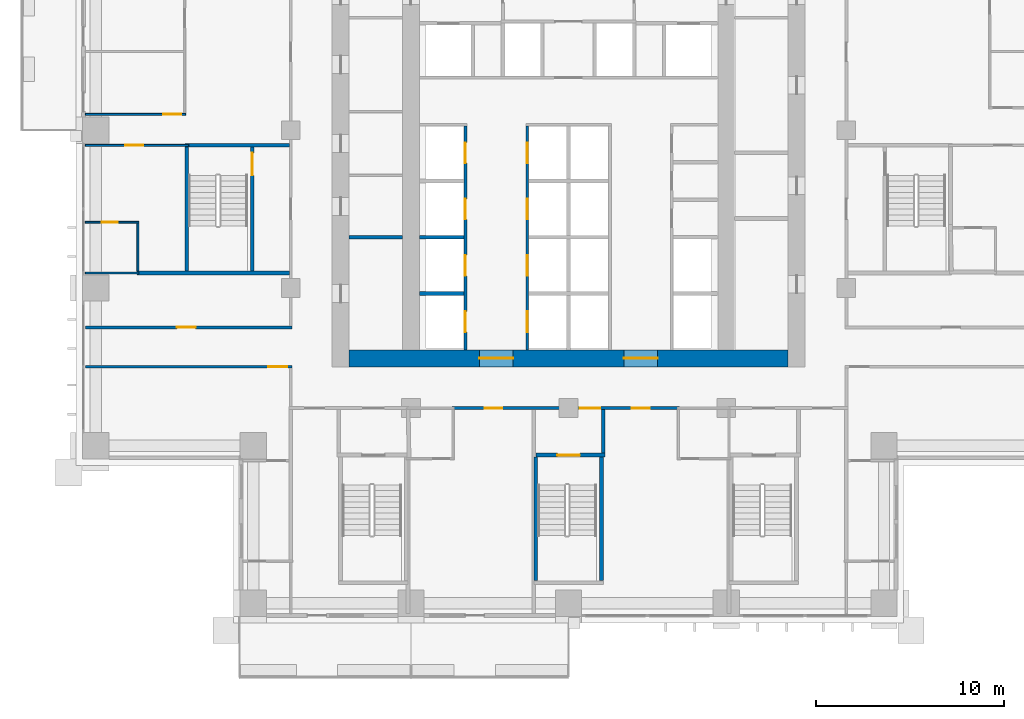
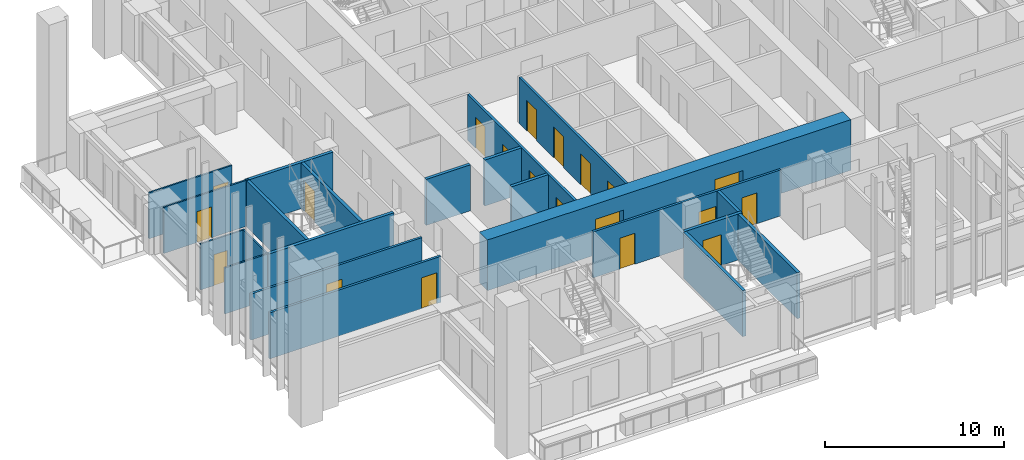
# One storey, part 7 of 17: 22 walls, 20 doors, 20 openings.
"""IFC4 building model written with IfcOpenShell, lengths in metres."""

from ifc_helpers import new_model, si_unit, direction, frame, frame_2d, origin, place, context, subcontext, project, spatial, rectangle, extrude, material, layer, layer_set, type_object, element, fill, save


model = new_model("IFC4")

# Units and contexts
model_context = context("Model", 3, precision=1e-05, world=origin(), true_north=direction((0.0, 1.0)))
body_context = subcontext(model_context, "Body", "Model", "MODEL_VIEW")
ifc_project = project(units=[si_unit("LENGTHUNIT", "METRE"), si_unit("AREAUNIT", "SQUARE_METRE"), si_unit("VOLUMEUNIT", "CUBIC_METRE"), si_unit("PLANEANGLEUNIT", "RADIAN"), si_unit("MASSUNIT", "GRAM", prefix="KILO")], contexts=[model_context])

# Site, building, storey
site_placement = place(None, origin())
site = spatial("IfcSite", under=ifc_project, at=site_placement, CompositionType="ELEMENT")
building_placement = place(site_placement, origin())
building = spatial("IfcBuilding", under=site, at=building_placement, Name="Vermilion Ogive Tower", CompositionType="ELEMENT")
storey_placement = place(building_placement, frame((0.0, 0.0, 37.949951171875)))
storey = spatial("IfcBuildingStorey", under=building, at=storey_placement, Name="L07", CompositionType="ELEMENT", Elevation=37.949951171875)

# Wall, openings, doors
ifc_material_1 = material(Name="Concrete B80", Category="concrete")
ifc_layer_1 = layer(ifc_material_1, 0.89990234375)
ifc_layer_set_1 = layer_set([ifc_layer_1], Name="Core wall 900 B80")
wall_type_1 = type_object("IfcWallType", Name="Core wall 900 B80", PredefinedType="SHEAR", material=ifc_layer_set_1)
wall_1_placement = place(storey_placement, frame((-11.699951171875, -7.949951171875, -0.320068359375), z_axis=(0.0, 0.0, 1.0), x_axis=(1.0, 0.0, 0.0)))
wall_1 = element("IfcWall", 1, at=wall_1_placement, inside=storey, type_object=wall_type_1, Name="L07-CORE-S", PredefinedType="SHEAR", context=body_context, shape_type="SweptSolid", body=[
    extrude(rectangle(XDim=23.39990234375, YDim=0.89990234375, at=frame_2d((11.699951171875, 0.0))), origin(), (0.0, 0.0, 1.0), 3.4501953125),
])
opening_1_placement = place(wall_1_placement, frame((6.949951171875, 0.0, 0.320068359375)))
opening_1 = element("IfcOpeningElement", 2, at=opening_1_placement, cuts=wall_1, Name="Opening DAH003", PredefinedType="OPENING", context=body_context, shape_type="SweptSolid", body=[
    extrude(rectangle(XDim=1.800048828125, YDim=2.10009765625, at=frame_2d((0.89990234375, 1.050048828125))), frame((0.0, 0.4599609375, 0.0), z_axis=(0.0, -1.0, 0.0), x_axis=(1.0, 0.0, 0.0)), (0.0, 0.0, 1.0), 0.919921875),
])
opening_2_placement = place(wall_1_placement, frame((14.64990234375, 0.0, 0.320068359375)))
opening_2 = element("IfcOpeningElement", 3, at=opening_2_placement, cuts=wall_1, Name="Opening DAH004", PredefinedType="OPENING", context=body_context, shape_type="SweptSolid", body=[
    extrude(rectangle(XDim=1.800048828125, YDim=2.10009765625, at=frame_2d((0.89990234375, 1.050048828125))), frame((0.0, 0.4599609375, 0.0), z_axis=(0.0, -1.0, 0.0), x_axis=(1.0, 0.0, 0.0)), (0.0, 0.0, 1.0), 0.919921875),
])
ifc_material_2 = material(Name="Timber door leaf", Category="wood")
door_type_1 = type_object("IfcDoorType", Name="Core entry door 1800 x 2100 FD60S", OperationType="DOUBLE_DOOR_SINGLE_SWING", PredefinedType="DOOR", material=ifc_material_2)
door_1_placement = place(opening_1_placement, origin())
door_1 = element("IfcDoor", 4, at=door_1_placement, inside=storey, type_object=door_type_1, Name="L07-CK-XD1", OperationType="SINGLE_SWING_LEFT", OverallHeight=2.10009765625, OverallWidth=1.800048828125, PredefinedType="DOOR", context=body_context, shape_type="SweptSolid", body=[
    extrude(rectangle(XDim=1.800048828125, YDim=2.10009765625, at=frame_2d((0.89990234375, 1.050048828125))), frame((0.0, 0.02490234375, 0.0), z_axis=(0.0, -1.0, 0.0), x_axis=(1.0, 0.0, 0.0)), (0.0, 0.0, 1.0), 0.050048828125),
])
fill(opening_1, door_1)
door_2_placement = place(opening_2_placement, origin())
door_2 = element("IfcDoor", 5, at=door_2_placement, inside=storey, type_object=door_type_1, Name="L07-CK-XD2", OperationType="SINGLE_SWING_LEFT", OverallHeight=2.10009765625, OverallWidth=1.800048828125, PredefinedType="DOOR", context=body_context, shape_type="SweptSolid", body=[
    extrude(rectangle(XDim=1.800048828125, YDim=2.10009765625, at=frame_2d((0.89990234375, 1.050048828125))), frame((0.0, 0.02490234375, 0.0), z_axis=(0.0, -1.0, 0.0), x_axis=(1.0, 0.0, 0.0)), (0.0, 0.0, 1.0), 0.050048828125),
])
fill(opening_2, door_2)

# Wall
ifc_material_3 = material(Name="Gypsum board partition on steel studs", Category="steel")
ifc_layer_2 = layer(ifc_material_3, 0.10009765625)
ifc_layer_set_2 = layer_set([ifc_layer_2], Name="Partition 100 bath")
wall_type_2 = type_object("IfcWallType", Name="Partition 100 bath", PredefinedType="PARTITIONING", material=ifc_layer_set_2)
wall_2_placement = place(storey_placement, frame((-25.75, -3.39990234375, 0.0), z_axis=(0.0, 0.0, 1.0), x_axis=(1.0, 0.0, 0.0)))
element("IfcWall", 6, at=wall_2_placement, inside=storey, type_object=wall_type_2, Name="L07-W-W022", PredefinedType="PARTITIONING", context=body_context, shape_type="SweptSolid", body=[
    extrude(rectangle(XDim=2.85009765625, YDim=0.10009765625, at=frame_2d((1.425048828125, 0.0))), origin(), (0.0, 0.0, 1.0), 3.130126953125),
])

# Wall, opening, door
wall_3_placement = place(storey_placement, frame((-25.75, -0.699951171875, 0.0), z_axis=(0.0, 0.0, 1.0), x_axis=(1.0, 0.0, 0.0)))
wall_3 = element("IfcWall", 7, at=wall_3_placement, inside=storey, type_object=wall_type_2, Name="L07-W-W028", PredefinedType="PARTITIONING", context=body_context, shape_type="SweptSolid", body=[
    extrude(rectangle(XDim=2.85009765625, YDim=0.10009765625, at=frame_2d((1.425048828125, 0.0))), origin(), (0.0, 0.0, 1.0), 3.130126953125),
])
opening_3_placement = place(wall_3_placement, frame((0.875, 0.0, 0.0)))
opening_3 = element("IfcOpeningElement", 8, at=opening_3_placement, cuts=wall_3, Name="Opening D1G2008", PredefinedType="OPENING", context=body_context, shape_type="SweptSolid", body=[
    extrude(rectangle(XDim=0.85009765625, YDim=2.10009765625, at=frame_2d((0.425048828125, 1.050048828125))), frame((0.0, 0.06005859375, 0.0), z_axis=(0.0, -1.0, 0.0), x_axis=(1.0, 0.0, 0.0)), (0.0, 0.0, 1.0), 0.1201171875),
])
ifc_material_4 = material(Name="Timber door leaf", Category="wood")
door_type_2 = type_object("IfcDoorType", Name="Bath door 850 x 2100 FD30", OperationType="SINGLE_SWING_LEFT", PredefinedType="DOOR", material=ifc_material_4)
door_3_placement = place(opening_3_placement, origin())
door_3 = element("IfcDoor", 9, at=door_3_placement, inside=storey, type_object=door_type_2, Name="L07-D-D008", OperationType="SINGLE_SWING_RIGHT", OverallHeight=2.10009765625, OverallWidth=0.85009765625, PredefinedType="DOOR", context=body_context, shape_type="SweptSolid", body=[
    extrude(rectangle(XDim=0.85009765625, YDim=2.10009765625, at=frame_2d((0.425048828125, 1.050048828125))), frame((0.0, 0.02490234375, 0.0), z_axis=(0.0, -1.0, 0.0), x_axis=(1.0, 0.0, 0.0)), (0.0, 0.0, 1.0), 0.050048828125),
])
fill(opening_3, door_3)

# Wall
wall_4_placement = place(storey_placement, frame((-22.949951171875, -3.300048828125, 0.0), z_axis=(0.0, 0.0, 1.0), x_axis=(0.0, 1.0, 0.0)))
element("IfcWall", 10, at=wall_4_placement, inside=storey, type_object=wall_type_2, Name="L07-W-W041", PredefinedType="PARTITIONING", context=body_context, shape_type="SweptSolid", body=[
    extrude(rectangle(XDim=2.550048828125, YDim=0.10009765625, at=frame_2d((1.27490234375, 0.0))), origin(), (0.0, 0.0, 1.0), 3.130126953125),
])

# Wall, opening, door
ifc_material_5 = material(Name="Gypsum board partition on steel studs", Category="steel")
ifc_layer_3 = layer(ifc_material_5, 0.10009765625)
ifc_layer_set_3 = layer_set([ifc_layer_3], Name="Partition 100 inner")
wall_type_3 = type_object("IfcWallType", Name="Partition 100 inner", PredefinedType="PARTITIONING", material=ifc_layer_set_3)
wall_5_placement = place(storey_placement, frame((-25.75, 3.39990234375, 0.0), z_axis=(0.0, 0.0, 1.0), x_axis=(1.0, 0.0, 0.0)))
wall_5 = element("IfcWall", 11, at=wall_5_placement, inside=storey, type_object=wall_type_3, Name="L07-W-W029", PredefinedType="PARTITIONING", context=body_context, shape_type="SweptSolid", body=[
    extrude(rectangle(XDim=5.5, YDim=0.10009765625, at=frame_2d((2.75, 0.0))), origin(), (0.0, 0.0, 1.0), 3.130126953125),
])
opening_4_placement = place(wall_5_placement, frame((2.125, 0.0, 0.0)))
opening_4 = element("IfcOpeningElement", 12, at=opening_4_placement, cuts=wall_5, Name="Opening D1G2007", PredefinedType="OPENING", context=body_context, shape_type="SweptSolid", body=[
    extrude(rectangle(XDim=0.949951171875, YDim=2.10009765625, at=frame_2d((0.47509765625, 1.050048828125))), frame((0.0, 0.06005859375, 0.0), z_axis=(0.0, -1.0, 0.0), x_axis=(1.0, 0.0, 0.0)), (0.0, 0.0, 1.0), 0.1201171875),
])
ifc_material_6 = material(Name="Timber door leaf", Category="wood")
door_type_3 = type_object("IfcDoorType", Name="Inner door 950 x 2100 FD30", OperationType="SINGLE_SWING_LEFT", PredefinedType="DOOR", material=ifc_material_6)
door_4_placement = place(opening_4_placement, origin())
door_4 = element("IfcDoor", 13, at=door_4_placement, inside=storey, type_object=door_type_3, Name="L07-D-D007", OperationType="SINGLE_SWING_LEFT", OverallHeight=2.10009765625, OverallWidth=0.949951171875, PredefinedType="DOOR", context=body_context, shape_type="SweptSolid", body=[
    extrude(rectangle(XDim=0.949951171875, YDim=2.10009765625, at=frame_2d((0.47509765625, 1.050048828125))), frame((0.0, 0.02490234375, 0.0), z_axis=(0.0, -1.0, 0.0), x_axis=(1.0, 0.0, 0.0)), (0.0, 0.0, 1.0), 0.050048828125),
])
fill(opening_4, door_4)

wall_6_placement = place(storey_placement, frame((-25.75, 5.0498046875, 0.0), z_axis=(0.0, 0.0, 1.0), x_axis=(1.0, 0.0, 0.0)))
wall_6 = element("IfcWall", 14, at=wall_6_placement, inside=storey, type_object=wall_type_3, Name="L07-W-W033", PredefinedType="PARTITIONING", context=body_context, shape_type="SweptSolid", body=[
    extrude(rectangle(XDim=5.35009765625, YDim=0.10009765625, at=frame_2d((2.675048828125, 0.0))), origin(), (0.0, 0.0, 1.0), 3.130126953125),
])
opening_5_placement = place(wall_6_placement, frame((4.14990234375, 0.0, 0.0)))
opening_5 = element("IfcOpeningElement", 15, at=opening_5_placement, cuts=wall_6, Name="Opening D1G2004", PredefinedType="OPENING", context=body_context, shape_type="SweptSolid", body=[
    extrude(rectangle(XDim=0.949951171875, YDim=2.10009765625, at=frame_2d((0.47509765625, 1.050048828125))), frame((0.0, 0.06005859375, 0.0), z_axis=(0.0, -1.0, 0.0), x_axis=(1.0, 0.0, 0.0)), (0.0, 0.0, 1.0), 0.1201171875),
])
door_5_placement = place(opening_5_placement, origin())
door_5 = element("IfcDoor", 16, at=door_5_placement, inside=storey, type_object=door_type_3, Name="L07-D-D004", OperationType="SINGLE_SWING_LEFT", OverallHeight=2.10009765625, OverallWidth=0.949951171875, PredefinedType="DOOR", context=body_context, shape_type="SweptSolid", body=[
    extrude(rectangle(XDim=0.949951171875, YDim=2.10009765625, at=frame_2d((0.47509765625, 1.050048828125))), frame((0.0, 0.02490234375, 0.0), z_axis=(0.0, -1.0, 0.0), x_axis=(1.0, 0.0, 0.0)), (0.0, 0.0, 1.0), 0.050048828125),
])
fill(opening_5, door_5)

# Wall, openings, doors
ifc_material_7 = material(Name="Gypsum board partition on steel studs", Category="steel")
ifc_layer_4 = layer(ifc_material_7, 0.14990234375)
ifc_layer_set_4 = layer_set([ifc_layer_4], Name="Partition 150 corridor")
wall_type_4 = type_object("IfcWallType", Name="Partition 150 corridor", PredefinedType="PARTITIONING", material=ifc_layer_set_4)
wall_7_placement = place(storey_placement, frame((-6.199951171875, -10.60009765625, 0.0), z_axis=(0.0, 0.0, 1.0), x_axis=(1.0, 0.0, 0.0)))
wall_7 = element("IfcWall", 17, at=wall_7_placement, inside=storey, type_object=wall_type_4, Name="L07-W-W015", PredefinedType="PARTITIONING", context=body_context, shape_type="SweptSolid", body=[
    extrude(rectangle(XDim=12.099853515625, YDim=0.14990234375, at=frame_2d((6.0498046875, 0.0))), origin(), (0.0, 0.0, 1.0), 3.130126953125),
])
opening_6_placement = place(wall_7_placement, frame((1.724853515625, 0.0, 0.0)))
opening_6 = element("IfcOpeningElement", 18, at=opening_6_placement, cuts=wall_7, Name="Opening D1G2011", PredefinedType="OPENING", context=body_context, shape_type="SweptSolid", body=[
    extrude(rectangle(XDim=0.949951171875, YDim=2.10009765625, at=frame_2d((0.47509765625, 1.050048828125))), frame((0.0, 0.0849609375, 0.0), z_axis=(0.0, -1.0, 0.0), x_axis=(1.0, 0.0, 0.0)), (0.0, 0.0, 1.0), 0.169921875),
])
opening_7_placement = place(wall_7_placement, frame((9.574951171875, 0.0, 0.0)))
opening_7 = element("IfcOpeningElement", 19, at=opening_7_placement, cuts=wall_7, Name="Opening D1G2013", PredefinedType="OPENING", context=body_context, shape_type="SweptSolid", body=[
    extrude(rectangle(XDim=0.949951171875, YDim=2.10009765625, at=frame_2d((0.47509765625, 1.050048828125))), frame((0.0, 0.0849609375, 0.0), z_axis=(0.0, -1.0, 0.0), x_axis=(1.0, 0.0, 0.0)), (0.0, 0.0, 1.0), 0.169921875),
])
opening_8_placement = place(wall_7_placement, frame((6.800048828125, 0.0, 0.0)))
opening_8 = element("IfcOpeningElement", 20, at=opening_8_placement, cuts=wall_7, Name="Opening D1G2027", PredefinedType="OPENING", context=body_context, shape_type="SweptSolid", body=[
    extrude(rectangle(XDim=1.10009765625, YDim=2.10009765625, at=frame_2d((0.550048828125, 1.050048828125))), frame((0.0, 0.0849609375, 0.0), z_axis=(0.0, -1.0, 0.0), x_axis=(1.0, 0.0, 0.0)), (0.0, 0.0, 1.0), 0.169921875),
])
ifc_material_8 = material(Name="Timber door leaf", Category="wood")
door_type_4 = type_object("IfcDoorType", Name="Stair door 1100 x 2100 FD60S", OperationType="SINGLE_SWING_LEFT", PredefinedType="DOOR", material=ifc_material_8)
door_6_placement = place(opening_8_placement, origin())
door_6 = element("IfcDoor", 21, at=door_6_placement, inside=storey, type_object=door_type_4, Name="L07-D-D027", OperationType="SINGLE_SWING_RIGHT", OverallHeight=2.10009765625, OverallWidth=1.10009765625, PredefinedType="DOOR", context=body_context, shape_type="SweptSolid", body=[
    extrude(rectangle(XDim=1.10009765625, YDim=2.10009765625, at=frame_2d((0.550048828125, 1.050048828125))), frame((0.0, 0.02490234375, 0.0), z_axis=(0.0, -1.0, 0.0), x_axis=(1.0, 0.0, 0.0)), (0.0, 0.0, 1.0), 0.050048828125),
])
fill(opening_8, door_6)
ifc_material_9 = material(Name="Timber door leaf", Category="wood")
door_type_5 = type_object("IfcDoorType", Name="Unit door 950 x 2100 FD30S", OperationType="SINGLE_SWING_LEFT", PredefinedType="DOOR", material=ifc_material_9)
door_7_placement = place(opening_6_placement, origin())
door_7 = element("IfcDoor", 22, at=door_7_placement, inside=storey, type_object=door_type_5, Name="L07-D-D011", OperationType="SINGLE_SWING_LEFT", OverallHeight=2.10009765625, OverallWidth=0.949951171875, PredefinedType="DOOR", context=body_context, shape_type="SweptSolid", body=[
    extrude(rectangle(XDim=0.949951171875, YDim=2.10009765625, at=frame_2d((0.47509765625, 1.050048828125))), frame((0.0, 0.02490234375, 0.0), z_axis=(0.0, -1.0, 0.0), x_axis=(1.0, 0.0, 0.0)), (0.0, 0.0, 1.0), 0.050048828125),
])
fill(opening_6, door_7)
door_8_placement = place(opening_7_placement, origin())
door_8 = element("IfcDoor", 23, at=door_8_placement, inside=storey, type_object=door_type_5, Name="L07-D-D013", OperationType="SINGLE_SWING_RIGHT", OverallHeight=2.10009765625, OverallWidth=0.949951171875, PredefinedType="DOOR", context=body_context, shape_type="SweptSolid", body=[
    extrude(rectangle(XDim=0.949951171875, YDim=2.10009765625, at=frame_2d((0.47509765625, 1.050048828125))), frame((0.0, 0.02490234375, 0.0), z_axis=(0.0, -1.0, 0.0), x_axis=(1.0, 0.0, 0.0)), (0.0, 0.0, 1.0), 0.050048828125),
])
fill(opening_7, door_8)

# Wall, opening, door
wall_8_placement = place(storey_placement, frame((-25.75, -8.39990234375, 0.0), z_axis=(0.0, 0.0, 1.0), x_axis=(1.0, 0.0, 0.0)))
wall_8 = element("IfcWall", 24, at=wall_8_placement, inside=storey, type_object=wall_type_4, Name="L07-W-W018", PredefinedType="PARTITIONING", context=body_context, shape_type="SweptSolid", body=[
    extrude(rectangle(XDim=11.02490234375, YDim=0.14990234375, at=frame_2d((5.512451171875, 0.0))), origin(), (0.0, 0.0, 1.0), 3.130126953125),
])
opening_9_placement = place(wall_8_placement, frame((9.75, 0.0, 0.0)))
opening_9 = element("IfcOpeningElement", 25, at=opening_9_placement, cuts=wall_8, Name="Opening D1G2001", PredefinedType="OPENING", context=body_context, shape_type="SweptSolid", body=[
    extrude(rectangle(XDim=1.0, YDim=2.10009765625, at=frame_2d((0.5, 1.050048828125))), frame((0.0, 0.0849609375, 0.0), z_axis=(0.0, -1.0, 0.0), x_axis=(1.0, 0.0, 0.0)), (0.0, 0.0, 1.0), 0.169921875),
])
ifc_material_10 = material(Name="Timber door leaf", Category="wood")
door_type_6 = type_object("IfcDoorType", Name="Unit door 1000 x 2100 FD30S", OperationType="SINGLE_SWING_LEFT", PredefinedType="DOOR", material=ifc_material_10)
door_9_placement = place(opening_9_placement, origin())
door_9 = element("IfcDoor", 26, at=door_9_placement, inside=storey, type_object=door_type_6, Name="L07-D-D001", OperationType="SINGLE_SWING_RIGHT", OverallHeight=2.10009765625, OverallWidth=1.0, PredefinedType="DOOR", context=body_context, shape_type="SweptSolid", body=[
    extrude(rectangle(XDim=1.0, YDim=2.10009765625, at=frame_2d((0.5, 1.050048828125))), frame((0.0, 0.02490234375, 0.0), z_axis=(0.0, -1.0, 0.0), x_axis=(1.0, 0.0, 0.0)), (0.0, 0.0, 1.0), 0.050048828125),
])
fill(opening_9, door_9)

wall_9_placement = place(storey_placement, frame((-25.75, -6.300048828125, 0.0), z_axis=(0.0, 0.0, 1.0), x_axis=(1.0, 0.0, 0.0)))
wall_9 = element("IfcWall", 27, at=wall_9_placement, inside=storey, type_object=wall_type_4, Name="L07-W-W020", PredefinedType="PARTITIONING", context=body_context, shape_type="SweptSolid", body=[
    extrude(rectangle(XDim=11.02490234375, YDim=0.14990234375, at=frame_2d((5.512451171875, 0.0))), origin(), (0.0, 0.0, 1.0), 3.130126953125),
])
opening_10_placement = place(wall_9_placement, frame((4.875, 0.0, 0.0)))
opening_10 = element("IfcOpeningElement", 28, at=opening_10_placement, cuts=wall_9, Name="Opening D1G2037", PredefinedType="OPENING", context=body_context, shape_type="SweptSolid", body=[
    extrude(rectangle(XDim=1.0, YDim=2.10009765625, at=frame_2d((0.5, 1.050048828125))), frame((0.0, 0.0849609375, 0.0), z_axis=(0.0, -1.0, 0.0), x_axis=(1.0, 0.0, 0.0)), (0.0, 0.0, 1.0), 0.169921875),
])
door_10_placement = place(opening_10_placement, origin())
door_10 = element("IfcDoor", 29, at=door_10_placement, inside=storey, type_object=door_type_6, Name="L07-D-D037", OperationType="SINGLE_SWING_RIGHT", OverallHeight=2.10009765625, OverallWidth=1.0, PredefinedType="DOOR", context=body_context, shape_type="SweptSolid", body=[
    extrude(rectangle(XDim=1.0, YDim=2.10009765625, at=frame_2d((0.5, 1.050048828125))), frame((0.0, 0.02490234375, 0.0), z_axis=(0.0, -1.0, 0.0), x_axis=(1.0, 0.0, 0.0)), (0.0, 0.0, 1.0), 0.050048828125),
])
fill(opening_10, door_10)

# Wall, openings, doors
wall_10_placement = place(storey_placement, frame((-5.5, -7.4990234375, 0.0), z_axis=(0.0, 0.0, 1.0), x_axis=(0.0, 1.0, 0.0)))
wall_10 = element("IfcWall", 30, at=wall_10_placement, inside=storey, type_object=wall_type_4, Name="L07-CK-W-W023", PredefinedType="PARTITIONING", context=body_context, shape_type="SweptSolid", body=[
    extrude(rectangle(XDim=11.924072265625, YDim=0.14990234375, at=frame_2d((5.9619140625, 0.0))), origin(), (0.0, 0.0, 1.0), 3.130126953125),
])
opening_11_placement = place(wall_10_placement, frame((0.948974609375, 0.0, 0.0)))
opening_11 = element("IfcOpeningElement", 31, at=opening_11_placement, cuts=wall_10, Name="Opening DAA034", PredefinedType="OPENING", context=body_context, shape_type="SweptSolid", body=[
    extrude(rectangle(XDim=1.10009765625, YDim=2.10009765625, at=frame_2d((0.550048828125, 1.050048828125))), frame((0.0, 0.0849609375, 0.0), z_axis=(0.0, -1.0, 0.0), x_axis=(1.0, 0.0, 0.0)), (0.0, 0.0, 1.0), 0.169921875),
])
opening_12_placement = place(wall_10_placement, frame((3.948974609375, 0.0, 0.0)))
opening_12 = element("IfcOpeningElement", 32, at=opening_12_placement, cuts=wall_10, Name="Opening DAA037", PredefinedType="OPENING", context=body_context, shape_type="SweptSolid", body=[
    extrude(rectangle(XDim=1.10009765625, YDim=2.10009765625, at=frame_2d((0.550048828125, 1.050048828125))), frame((0.0, 0.0849609375, 0.0), z_axis=(0.0, -1.0, 0.0), x_axis=(1.0, 0.0, 0.0)), (0.0, 0.0, 1.0), 0.169921875),
])
opening_13_placement = place(wall_10_placement, frame((6.948974609375, 0.0, 0.0)))
opening_13 = element("IfcOpeningElement", 33, at=opening_13_placement, cuts=wall_10, Name="Opening DAA038", PredefinedType="OPENING", context=body_context, shape_type="SweptSolid", body=[
    extrude(rectangle(XDim=1.10009765625, YDim=2.10009765625, at=frame_2d((0.550048828125, 1.050048828125))), frame((0.0, 0.0849609375, 0.0), z_axis=(0.0, -1.0, 0.0), x_axis=(1.0, 0.0, 0.0)), (0.0, 0.0, 1.0), 0.169921875),
])
opening_14_placement = place(wall_10_placement, frame((9.948974609375, 0.0, 0.0)))
opening_14 = element("IfcOpeningElement", 34, at=opening_14_placement, cuts=wall_10, Name="Opening DAA039", PredefinedType="OPENING", context=body_context, shape_type="SweptSolid", body=[
    extrude(rectangle(XDim=1.10009765625, YDim=2.10009765625, at=frame_2d((0.550048828125, 1.050048828125))), frame((0.0, 0.0849609375, 0.0), z_axis=(0.0, -1.0, 0.0), x_axis=(1.0, 0.0, 0.0)), (0.0, 0.0, 1.0), 0.169921875),
])
ifc_material_11 = material(Name="Stainless steel", Category="steel")
door_type_7 = type_object("IfcDoorType", Name="Lift landing door 1100 x 2100", OperationType="SLIDING_TO_LEFT", PredefinedType="DOOR", material=ifc_material_11)
door_11_placement = place(opening_11_placement, origin())
door_11 = element("IfcDoor", 35, at=door_11_placement, inside=storey, type_object=door_type_7, Name="L07-CK-D-D001", OperationType="SLIDING_TO_RIGHT", OverallHeight=2.10009765625, OverallWidth=1.10009765625, PredefinedType="DOOR", context=body_context, shape_type="SweptSolid", body=[
    extrude(rectangle(XDim=1.10009765625, YDim=2.10009765625, at=frame_2d((0.550048828125, 1.050048828125))), frame((0.0, 0.02490234375, 0.0), z_axis=(0.0, -1.0, 0.0), x_axis=(1.0, 0.0, 0.0)), (0.0, 0.0, 1.0), 0.050048828125),
])
fill(opening_11, door_11)
door_12_placement = place(opening_12_placement, origin())
door_12 = element("IfcDoor", 36, at=door_12_placement, inside=storey, type_object=door_type_7, Name="L07-CK-D-D002", OperationType="SLIDING_TO_RIGHT", OverallHeight=2.10009765625, OverallWidth=1.10009765625, PredefinedType="DOOR", context=body_context, shape_type="SweptSolid", body=[
    extrude(rectangle(XDim=1.10009765625, YDim=2.10009765625, at=frame_2d((0.550048828125, 1.050048828125))), frame((0.0, 0.02490234375, 0.0), z_axis=(0.0, -1.0, 0.0), x_axis=(1.0, 0.0, 0.0)), (0.0, 0.0, 1.0), 0.050048828125),
])
fill(opening_12, door_12)
door_13_placement = place(opening_13_placement, origin())
door_13 = element("IfcDoor", 37, at=door_13_placement, inside=storey, type_object=door_type_7, Name="L07-CK-D-D003", OperationType="SLIDING_TO_RIGHT", OverallHeight=2.10009765625, OverallWidth=1.10009765625, PredefinedType="DOOR", context=body_context, shape_type="SweptSolid", body=[
    extrude(rectangle(XDim=1.10009765625, YDim=2.10009765625, at=frame_2d((0.550048828125, 1.050048828125))), frame((0.0, 0.02490234375, 0.0), z_axis=(0.0, -1.0, 0.0), x_axis=(1.0, 0.0, 0.0)), (0.0, 0.0, 1.0), 0.050048828125),
])
fill(opening_13, door_13)
door_14_placement = place(opening_14_placement, origin())
door_14 = element("IfcDoor", 38, at=door_14_placement, inside=storey, type_object=door_type_7, Name="L07-CK-D-D004", OperationType="SLIDING_TO_RIGHT", OverallHeight=2.10009765625, OverallWidth=1.10009765625, PredefinedType="DOOR", context=body_context, shape_type="SweptSolid", body=[
    extrude(rectangle(XDim=1.10009765625, YDim=2.10009765625, at=frame_2d((0.550048828125, 1.050048828125))), frame((0.0, 0.02490234375, 0.0), z_axis=(0.0, -1.0, 0.0), x_axis=(1.0, 0.0, 0.0)), (0.0, 0.0, 1.0), 0.050048828125),
])
fill(opening_14, door_14)

wall_11_placement = place(storey_placement, frame((-2.199951171875, -7.4990234375, 0.0), z_axis=(0.0, 0.0, 1.0), x_axis=(0.0, 1.0, 0.0)))
wall_11 = element("IfcWall", 39, at=wall_11_placement, inside=storey, type_object=wall_type_4, Name="L07-CK-W-W028", PredefinedType="PARTITIONING", context=body_context, shape_type="SweptSolid", body=[
    extrude(rectangle(XDim=11.924072265625, YDim=0.14990234375, at=frame_2d((5.9619140625, 0.0))), origin(), (0.0, 0.0, 1.0), 3.130126953125),
])
opening_15_placement = place(wall_11_placement, frame((0.948974609375, 0.0, 0.0)))
opening_15 = element("IfcOpeningElement", 40, at=opening_15_placement, cuts=wall_11, Name="Opening DAA040", PredefinedType="OPENING", context=body_context, shape_type="SweptSolid", body=[
    extrude(rectangle(XDim=1.10009765625, YDim=2.10009765625, at=frame_2d((0.550048828125, 1.050048828125))), frame((0.0, 0.0849609375, 0.0), z_axis=(0.0, -1.0, 0.0), x_axis=(1.0, 0.0, 0.0)), (0.0, 0.0, 1.0), 0.169921875),
])
opening_16_placement = place(wall_11_placement, frame((3.948974609375, 0.0, 0.0)))
opening_16 = element("IfcOpeningElement", 41, at=opening_16_placement, cuts=wall_11, Name="Opening DAA041", PredefinedType="OPENING", context=body_context, shape_type="SweptSolid", body=[
    extrude(rectangle(XDim=1.10009765625, YDim=2.10009765625, at=frame_2d((0.550048828125, 1.050048828125))), frame((0.0, 0.0849609375, 0.0), z_axis=(0.0, -1.0, 0.0), x_axis=(1.0, 0.0, 0.0)), (0.0, 0.0, 1.0), 0.169921875),
])
opening_17_placement = place(wall_11_placement, frame((6.948974609375, 0.0, 0.0)))
opening_17 = element("IfcOpeningElement", 42, at=opening_17_placement, cuts=wall_11, Name="Opening DAA042", PredefinedType="OPENING", context=body_context, shape_type="SweptSolid", body=[
    extrude(rectangle(XDim=1.10009765625, YDim=2.10009765625, at=frame_2d((0.550048828125, 1.050048828125))), frame((0.0, 0.0849609375, 0.0), z_axis=(0.0, -1.0, 0.0), x_axis=(1.0, 0.0, 0.0)), (0.0, 0.0, 1.0), 0.169921875),
])
opening_18_placement = place(wall_11_placement, frame((9.948974609375, 0.0, 0.0)))
opening_18 = element("IfcOpeningElement", 43, at=opening_18_placement, cuts=wall_11, Name="Opening DAA043", PredefinedType="OPENING", context=body_context, shape_type="SweptSolid", body=[
    extrude(rectangle(XDim=1.10009765625, YDim=2.10009765625, at=frame_2d((0.550048828125, 1.050048828125))), frame((0.0, 0.0849609375, 0.0), z_axis=(0.0, -1.0, 0.0), x_axis=(1.0, 0.0, 0.0)), (0.0, 0.0, 1.0), 0.169921875),
])
door_15_placement = place(opening_15_placement, origin())
door_15 = element("IfcDoor", 44, at=door_15_placement, inside=storey, type_object=door_type_7, Name="L07-CK-D-D005", OperationType="SLIDING_TO_RIGHT", OverallHeight=2.10009765625, OverallWidth=1.10009765625, PredefinedType="DOOR", context=body_context, shape_type="SweptSolid", body=[
    extrude(rectangle(XDim=1.10009765625, YDim=2.10009765625, at=frame_2d((0.550048828125, 1.050048828125))), frame((0.0, 0.02490234375, 0.0), z_axis=(0.0, -1.0, 0.0), x_axis=(1.0, 0.0, 0.0)), (0.0, 0.0, 1.0), 0.050048828125),
])
fill(opening_15, door_15)
door_16_placement = place(opening_16_placement, origin())
door_16 = element("IfcDoor", 45, at=door_16_placement, inside=storey, type_object=door_type_7, Name="L07-CK-D-D006", OperationType="SLIDING_TO_RIGHT", OverallHeight=2.10009765625, OverallWidth=1.10009765625, PredefinedType="DOOR", context=body_context, shape_type="SweptSolid", body=[
    extrude(rectangle(XDim=1.10009765625, YDim=2.10009765625, at=frame_2d((0.550048828125, 1.050048828125))), frame((0.0, 0.02490234375, 0.0), z_axis=(0.0, -1.0, 0.0), x_axis=(1.0, 0.0, 0.0)), (0.0, 0.0, 1.0), 0.050048828125),
])
fill(opening_16, door_16)
door_17_placement = place(opening_17_placement, origin())
door_17 = element("IfcDoor", 46, at=door_17_placement, inside=storey, type_object=door_type_7, Name="L07-CK-D-D007", OperationType="SLIDING_TO_RIGHT", OverallHeight=2.10009765625, OverallWidth=1.10009765625, PredefinedType="DOOR", context=body_context, shape_type="SweptSolid", body=[
    extrude(rectangle(XDim=1.10009765625, YDim=2.10009765625, at=frame_2d((0.550048828125, 1.050048828125))), frame((0.0, 0.02490234375, 0.0), z_axis=(0.0, -1.0, 0.0), x_axis=(1.0, 0.0, 0.0)), (0.0, 0.0, 1.0), 0.050048828125),
])
fill(opening_17, door_17)
door_18_placement = place(opening_18_placement, origin())
door_18 = element("IfcDoor", 47, at=door_18_placement, inside=storey, type_object=door_type_7, Name="L07-CK-D-D008", OperationType="SLIDING_TO_RIGHT", OverallHeight=2.10009765625, OverallWidth=1.10009765625, PredefinedType="DOOR", context=body_context, shape_type="SweptSolid", body=[
    extrude(rectangle(XDim=1.10009765625, YDim=2.10009765625, at=frame_2d((0.550048828125, 1.050048828125))), frame((0.0, 0.02490234375, 0.0), z_axis=(0.0, -1.0, 0.0), x_axis=(1.0, 0.0, 0.0)), (0.0, 0.0, 1.0), 0.050048828125),
])
fill(opening_18, door_18)

# Walls
ifc_material_12 = material(Name="Gypsum board partition on steel studs", Category="steel")
ifc_layer_5 = layer(ifc_material_12, 0.199951171875)
ifc_layer_set_5 = layer_set([ifc_layer_5], Name="Partition 200 party")
wall_type_5 = type_object("IfcWallType", Name="Partition 200 party", PredefinedType="PARTITIONING", material=ifc_layer_set_5)
for number, where, z_axis, x_axis, name in (
    (48, (-7.948974609375, -4.5, 0.0), (0.0, 0.0, 1.0), (1.0, 0.0, 0.0), "L07-CK-W-W001"),
    (49, (-7.948974609375, -1.5, 0.0), (0.0, 0.0, 1.0), (1.0, 0.0, 0.0), "L07-CK-W-W004"),
):
    element("IfcWall", number, at=place(storey_placement, frame(where, z_axis=z_axis, x_axis=x_axis)), inside=storey, type_object=wall_type_5, Name=name, PredefinedType="PARTITIONING", context=body_context, shape_type="SweptSolid", body=[
        extrude(rectangle(XDim=2.3740234375, YDim=0.199951171875, at=frame_2d((1.18701171875, 0.0))), origin(), (0.0, 0.0, 1.0), 3.130126953125),
    ])
wall_12_placement = place(storey_placement, frame((-11.698974609375, -1.5, 0.0), z_axis=(0.0, 0.0, 1.0), x_axis=(1.0, 0.0, 0.0)))
element("IfcWall", 50, at=wall_12_placement, inside=storey, type_object=wall_type_5, Name="L07-CKW-W-W001", PredefinedType="PARTITIONING", context=body_context, shape_type="SweptSolid", body=[
    extrude(rectangle(XDim=2.847900390625, YDim=0.199951171875, at=frame_2d((1.423828125, 0.0))), origin(), (0.0, 0.0, 1.0), 3.130126953125),
])

# Wall, opening, door
ifc_material_13 = material(Name="Concrete B60", Category="concrete")
ifc_layer_6 = layer(ifc_material_13, 0.199951171875)
ifc_layer_set_6 = layer_set([ifc_layer_6], Name="Stair shaft wall 200 Concrete B60")
wall_type_6 = type_object("IfcWallType", Name="Stair shaft wall 200 Concrete B60", PredefinedType="SOLIDWALL", material=ifc_layer_set_6)
wall_13_placement = place(storey_placement, frame((-1.748046875, -13.10009765625, 0.0), z_axis=(0.0, 0.0, 1.0), x_axis=(1.0, 0.0, 0.0)))
wall_13 = element("IfcWall", 51, at=wall_13_placement, inside=storey, type_object=wall_type_6, Name="L07-W-W011", PredefinedType="SOLIDWALL", context=body_context, shape_type="SweptSolid", body=[
    extrude(rectangle(XDim=3.696044921875, YDim=0.199951171875, at=frame_2d((1.84814453125, 0.0))), origin(), (0.0, 0.0, 1.0), 3.130126953125),
])
opening_19_placement = place(wall_13_placement, frame((1.14794921875, 0.0, 0.0)))
opening_19 = element("IfcOpeningElement", 52, at=opening_19_placement, cuts=wall_13, Name="Opening D1G2028", PredefinedType="OPENING", context=body_context, shape_type="SweptSolid", body=[
    extrude(rectangle(XDim=1.199951171875, YDim=2.10009765625, at=frame_2d((0.60009765625, 1.050048828125))), frame((0.0, 0.10986328125, 0.0), z_axis=(0.0, -1.0, 0.0), x_axis=(1.0, 0.0, 0.0)), (0.0, 0.0, 1.0), 0.219970703125),
])
ifc_material_14 = material(Name="Timber door leaf", Category="wood")
door_type_8 = type_object("IfcDoorType", Name="Stair door 1200 x 2100 FD60S", OperationType="SINGLE_SWING_LEFT", PredefinedType="DOOR", material=ifc_material_14)
door_19_placement = place(opening_19_placement, origin())
door_19 = element("IfcDoor", 53, at=door_19_placement, inside=storey, type_object=door_type_8, Name="L07-D-D028", OperationType="SINGLE_SWING_RIGHT", OverallHeight=2.10009765625, OverallWidth=1.199951171875, PredefinedType="DOOR", context=body_context, shape_type="SweptSolid", body=[
    extrude(rectangle(XDim=1.199951171875, YDim=2.10009765625, at=frame_2d((0.60009765625, 1.050048828125))), frame((0.0, 0.02490234375, 0.0), z_axis=(0.0, -1.0, 0.0), x_axis=(1.0, 0.0, 0.0)), (0.0, 0.0, 1.0), 0.050048828125),
])
fill(opening_19, door_19)

# Walls
wall_14_placement = place(storey_placement, frame((-23.0, -3.39990234375, 0.0), z_axis=(0.0, 0.0, 1.0), x_axis=(1.0, 0.0, 0.0)))
element("IfcWall", 54, at=wall_14_placement, inside=storey, type_object=wall_type_6, Name="L07-W-W023", PredefinedType="SOLIDWALL", context=body_context, shape_type="SweptSolid", body=[
    extrude(rectangle(XDim=8.125, YDim=0.199951171875, at=frame_2d((4.0625, 0.0))), origin(), (0.0, 0.0, 1.0), 3.130126953125),
])
wall_15_placement = place(storey_placement, frame((-20.449951171875, 3.39990234375, 0.0), z_axis=(0.0, 0.0, 1.0), x_axis=(1.0, 0.0, 0.0)))
element("IfcWall", 55, at=wall_15_placement, inside=storey, type_object=wall_type_6, Name="L07-W-W030", PredefinedType="SOLIDWALL", context=body_context, shape_type="SweptSolid", body=[
    extrude(rectangle(XDim=5.574951171875, YDim=0.199951171875, at=frame_2d((2.78759765625, 0.0))), origin(), (0.0, 0.0, 1.0), 3.130126953125),
])

# Wall, opening, door
wall_16_placement = place(storey_placement, frame((-16.85009765625, -3.300048828125, 0.0), z_axis=(0.0, 0.0, 1.0), x_axis=(0.0, 1.0, 0.0)))
wall_16 = element("IfcWall", 56, at=wall_16_placement, inside=storey, type_object=wall_type_6, Name="L07-W-W044", PredefinedType="SOLIDWALL", context=body_context, shape_type="SweptSolid", body=[
    extrude(rectangle(XDim=6.60009765625, YDim=0.199951171875, at=frame_2d((3.300048828125, 0.0))), origin(), (0.0, 0.0, 1.0), 3.130126953125),
])
opening_20_placement = place(wall_16_placement, frame((5.10009765625, 0.0, 0.0)))
opening_20 = element("IfcOpeningElement", 57, at=opening_20_placement, cuts=wall_16, Name="Opening D1G2034", PredefinedType="OPENING", context=body_context, shape_type="SweptSolid", body=[
    extrude(rectangle(XDim=1.199951171875, YDim=2.10009765625, at=frame_2d((0.60009765625, 1.050048828125))), frame((0.0, 0.10986328125, 0.0), z_axis=(0.0, -1.0, 0.0), x_axis=(1.0, 0.0, 0.0)), (0.0, 0.0, 1.0), 0.219970703125),
])
door_20_placement = place(opening_20_placement, origin())
door_20 = element("IfcDoor", 58, at=door_20_placement, inside=storey, type_object=door_type_8, Name="L07-D-D034", OperationType="SINGLE_SWING_RIGHT", OverallHeight=2.10009765625, OverallWidth=1.199951171875, PredefinedType="DOOR", context=body_context, shape_type="SweptSolid", body=[
    extrude(rectangle(XDim=1.199951171875, YDim=2.10009765625, at=frame_2d((0.60009765625, 1.050048828125))), frame((0.0, 0.02490234375, 0.0), z_axis=(0.0, -1.0, 0.0), x_axis=(1.0, 0.0, 0.0)), (0.0, 0.0, 1.0), 0.050048828125),
])
fill(opening_20, door_20)

# Walls
for number, where, z_axis, x_axis, name in (
    (59, (-1.75, -19.798095703125, 0.0), (0.0, 0.0, 1.0), (0.0, 1.0, 0.0), "L07-W-W056"),
    (60, (1.75, -19.798095703125, 0.0), (0.0, 0.0, 1.0), (0.0, 1.0, 0.0), "L07-W-W057"),
):
    element("IfcWall", number, at=place(storey_placement, frame(where, z_axis=z_axis, x_axis=x_axis)), inside=storey, type_object=wall_type_6, Name=name, PredefinedType="SOLIDWALL", context=body_context, shape_type="SweptSolid", body=[
        extrude(rectangle(XDim=6.59619140625, YDim=0.199951171875, at=frame_2d((3.298095703125, 0.0))), origin(), (0.0, 0.0, 1.0), 3.130126953125),
    ])
wall_17_placement = place(storey_placement, frame((1.85009765625, -12.998046875, 0.0), z_axis=(0.0, 0.0, 1.0), x_axis=(0.0, 1.0, 0.0)))
element("IfcWall", 61, at=wall_17_placement, inside=storey, type_object=wall_type_6, Name="L07-W-W058", PredefinedType="SOLIDWALL", context=body_context, shape_type="SweptSolid", body=[
    extrude(rectangle(XDim=2.322998046875, YDim=0.199951171875, at=frame_2d((1.16162109375, 0.0))), origin(), (0.0, 0.0, 1.0), 3.130126953125),
])
wall_18_placement = place(storey_placement, frame((-20.35009765625, -3.300048828125, 0.0), z_axis=(0.0, 0.0, 1.0), x_axis=(0.0, 1.0, 0.0)))
element("IfcWall", 62, at=wall_18_placement, inside=storey, type_object=wall_type_6, Name="L07-W-W043-A", PredefinedType="SOLIDWALL", context=body_context, shape_type="SweptSolid", body=[
    extrude(rectangle(XDim=6.60009765625, YDim=0.199951171875, at=frame_2d((3.300048828125, 0.0))), origin(), (0.0, 0.0, 1.0), 3.130126953125),
])

save(model, "model.ifc")
